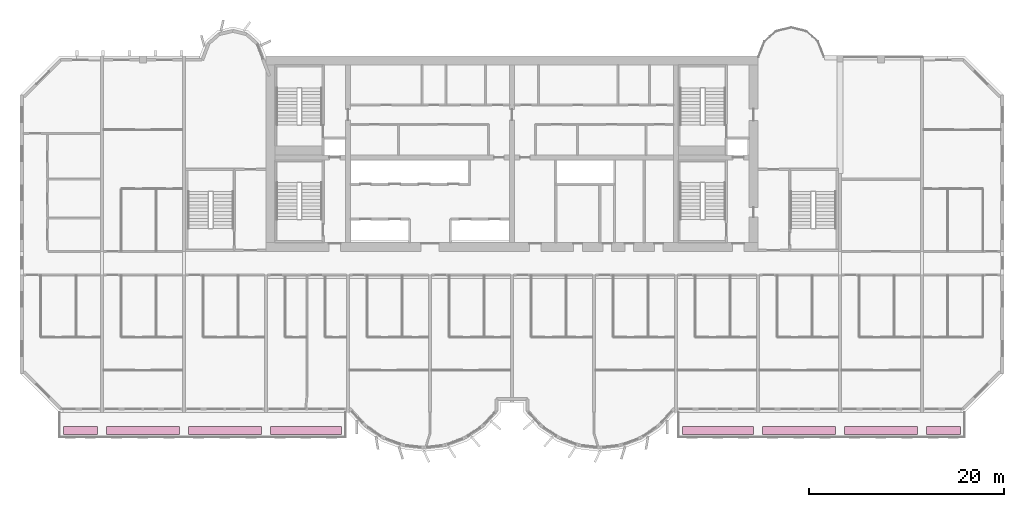
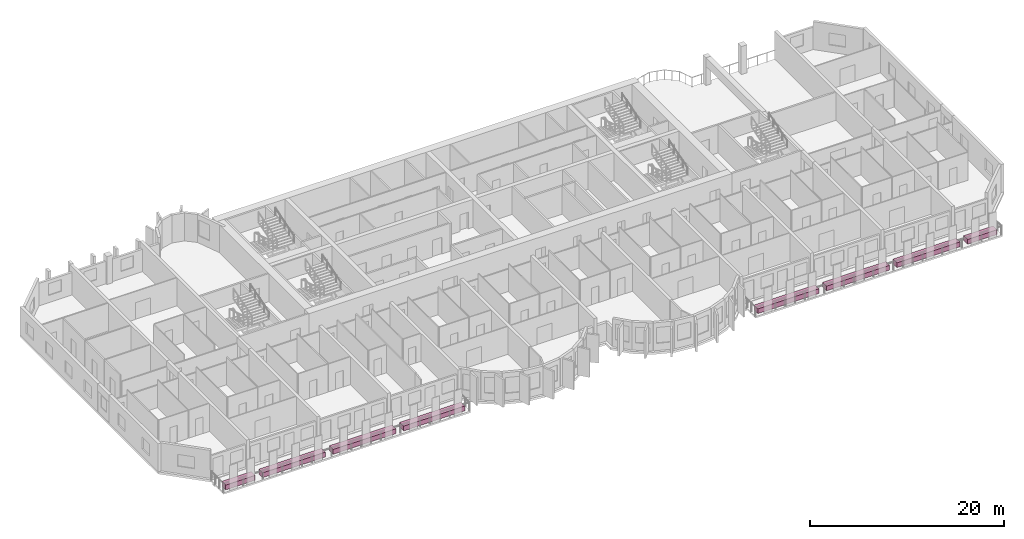
# One storey, part 15 of 15: 8 furniture elements.
"""IFC4 building model written with IfcOpenShell, lengths in metres."""

from ifc_helpers import new_model, si_unit, direction, frame, origin, origin_2d, place, context, subcontext, project, spatial, rectangle, extrude, source, transform, mapped, material, type_object, element, save


model = new_model("IFC4")

# Units and contexts
model_context = context("Model", 3, precision=1e-05, world=origin(), true_north=direction((0.0, 1.0)))
body_context = subcontext(model_context, "Body", "Model", "MODEL_VIEW")
ifc_project = project(units=[si_unit("LENGTHUNIT", "METRE"), si_unit("AREAUNIT", "SQUARE_METRE"), si_unit("VOLUMEUNIT", "CUBIC_METRE"), si_unit("PLANEANGLEUNIT", "RADIAN"), si_unit("MASSUNIT", "GRAM", prefix="KILO")], contexts=[model_context])

# Site, building, storey
site_placement = place(None, origin())
site = spatial("IfcSite", under=ifc_project, at=site_placement, CompositionType="ELEMENT")
building_placement = place(site_placement, origin())
building = spatial("IfcBuilding", under=site, at=building_placement, Name="Vanashikhar Sky Hotel", CompositionType="ELEMENT")
storey_placement = place(building_placement, frame((0.0, 0.0, 137.0)))
storey = spatial("IfcBuildingStorey", under=building, at=storey_placement, Name="L33", CompositionType="ELEMENT", Elevation=137.0)

# Furniture
ifc_material = material(Name="Planting soil and shrubs")
furniture_type = type_object("IfcFurnitureType", Name="Planter trough", AssemblyPlace="NOTDEFINED", PredefinedType="USERDEFINED", material=ifc_material)
shared_shape_1 = source(origin(), body_context, "Body", "SweptSolid", [
    extrude(rectangle(XDim=3.5, YDim=0.800048828125, at=origin_2d()), origin(), (0.0, 0.0, 1.0), 0.60009765625),
])
for number, where, z_axis, x_axis, name in (
    (1, (6.199951171875, 3.64990234375, -0.050048828125), (0.0, 0.0, 1.0), (1.0, 0.0, 0.0), "PLANTER with climbers"),
    (2, (94.60009765625, 3.64990234375, -0.050048828125), (0.0, 0.0, 1.0), (1.0, 0.0, 0.0), "PLANTER with climbers"),
):
    element("IfcFurniture", number, at=place(storey_placement, frame(where, z_axis=z_axis, x_axis=x_axis)), inside=storey, type_object=furniture_type, Name=name, ObjectType="PLANTER", PredefinedType="USERDEFINED", context=body_context, shape_type="MappedRepresentation", body=[
        mapped(shared_shape_1, transform((0.0, 0.0, 0.0), scale=1.0)),
    ])
shared_shape_2 = source(origin(), body_context, "Body", "SweptSolid", [
    extrude(rectangle(XDim=7.5, YDim=0.800048828125, at=origin_2d()), origin(), (0.0, 0.0, 1.0), 0.60009765625),
])
for number, where, z_axis, x_axis, name in (
    (3, (12.60009765625, 3.64990234375, -0.050048828125), (0.0, 0.0, 1.0), (1.0, 0.0, 0.0), "PLANTER with climbers"),
    (4, (21.0, 3.64990234375, -0.050048828125), (0.0, 0.0, 1.0), (1.0, 0.0, 0.0), "PLANTER with climbers"),
    (5, (79.800048828125, 3.64990234375, -0.050048828125), (0.0, 0.0, 1.0), (1.0, 0.0, 0.0), "PLANTER with climbers"),
    (6, (88.199951171875, 3.64990234375, -0.050048828125), (0.0, 0.0, 1.0), (1.0, 0.0, 0.0), "PLANTER with climbers"),
):
    element("IfcFurniture", number, at=place(storey_placement, frame(where, z_axis=z_axis, x_axis=x_axis)), inside=storey, type_object=furniture_type, Name=name, ObjectType="PLANTER", PredefinedType="USERDEFINED", context=body_context, shape_type="MappedRepresentation", body=[
        mapped(shared_shape_2, transform((0.0, 0.0, 0.0), scale=1.0)),
    ])
shared_shape_3 = source(origin(), body_context, "Body", "SweptSolid", [
    extrude(rectangle(XDim=7.300048828125, YDim=0.800048828125, at=origin_2d()), origin(), (0.0, 0.0, 1.0), 0.60009765625),
])
for number, where, z_axis, x_axis, name in (
    (7, (29.300048828125, 3.64990234375, -0.050048828125), (0.0, 0.0, 1.0), (1.0, 0.0, 0.0), "PLANTER with climbers"),
    (8, (71.5, 3.64990234375, -0.050048828125), (0.0, 0.0, 1.0), (1.0, 0.0, 0.0), "PLANTER with climbers"),
):
    element("IfcFurniture", number, at=place(storey_placement, frame(where, z_axis=z_axis, x_axis=x_axis)), inside=storey, type_object=furniture_type, Name=name, ObjectType="PLANTER", PredefinedType="USERDEFINED", context=body_context, shape_type="MappedRepresentation", body=[
        mapped(shared_shape_3, transform((0.0, 0.0, 0.0), scale=1.0)),
    ])

save(model, "model.ifc")
